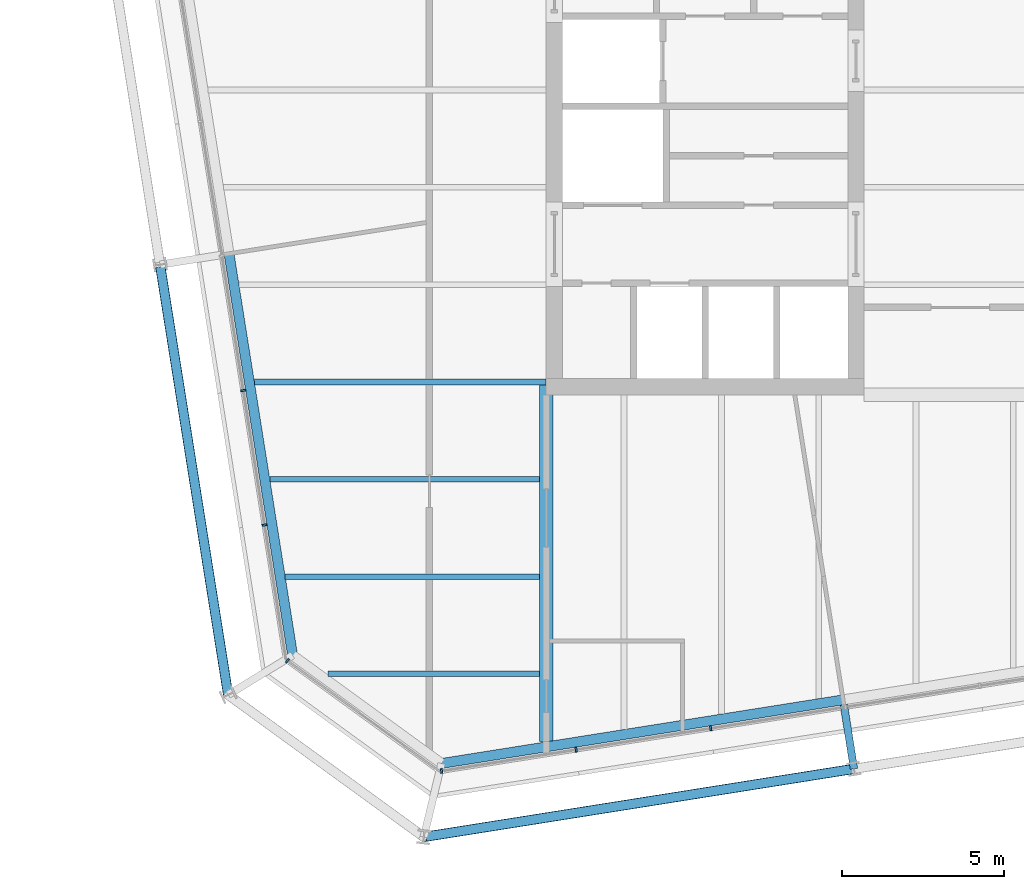
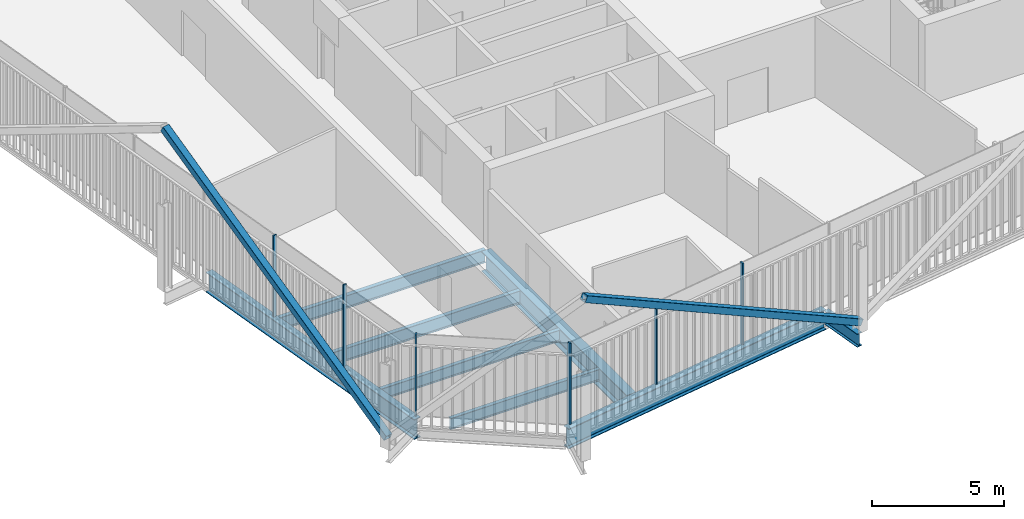
# One storey, part 2 of 21: 8 beams, 8 members, 3 elements without a shape of their own.
"""IFC4 building model written with IfcOpenShell, lengths in metres."""

from ifc_helpers import new_model, si_unit, direction, frame, origin, origin_2d, place, context, subcontext, project, spatial, rectangle, hollow_rectangle, i_section, extrude, material, layer, layer_set, material_profile, profile_set, type_object, element, aggregate, save


model = new_model("IFC4")

# Units and contexts
model_context = context("Model", 3, precision=1e-05, world=origin(), true_north=direction((0.0, 1.0)))
body_context = subcontext(model_context, "Body", "Model", "MODEL_VIEW")
ifc_project = project(units=[si_unit("LENGTHUNIT", "METRE"), si_unit("AREAUNIT", "SQUARE_METRE"), si_unit("VOLUMEUNIT", "CUBIC_METRE"), si_unit("PLANEANGLEUNIT", "RADIAN"), si_unit("MASSUNIT", "GRAM", prefix="KILO")], contexts=[model_context])

# Site, building, storey
site_placement = place(None, origin())
site = spatial("IfcSite", under=ifc_project, at=site_placement, CompositionType="ELEMENT")
building_placement = place(site_placement, origin())
building = spatial("IfcBuilding", under=site, at=building_placement, Name="Millrace Tower", CompositionType="ELEMENT")
storey_placement = place(building_placement, frame((0.0, 0.0, 255.199951171875)))
storey = spatial("IfcBuildingStorey", under=building, at=storey_placement, Name="L58", CompositionType="ELEMENT", Elevation=255.199951171875)

# Curtain wall, member
ifc_material_1 = material(Name="Aluminium and glass", Category="aluminium")
ifc_layer = layer(ifc_material_1, 0.14990234375)
ifc_layer_set = layer_set([ifc_layer], Name="Aluminium and glass")
curtain_wall_type = type_object("IfcCurtainWallType", Name="CW-1 office vision curtain wall", PredefinedType="NOTDEFINED", material=ifc_layer_set)
placement = place(storey_placement, origin())
curtain_wall_1 = element("IfcCurtainWall", 1, at=placement, inside=storey, type_object=curtain_wall_type, Name="Curtain wall D-F01 L58", PredefinedType="NOTDEFINED")
ifc_material_2 = material(Name="Aluminium", Category="aluminium")
ifc_material_profile_1 = material_profile(ifc_material_2, rectangle(XDim=0.06494140625, YDim=0.14990234375, at=origin_2d()))
ifc_profile_set_1 = profile_set([ifc_material_profile_1], Name="Aluminium")
member_type_1 = type_object("IfcMemberType", Name="CW-1 office vision curtain wall mullion", PredefinedType="MULLION", material=ifc_profile_set_1)
member_1_placement = place(storey_placement, frame((-22.3779296875, -17.594970703125, 0.14013671875), z_axis=(0.0, 0.0, 1.0), x_axis=(0.809016955361, -0.587785305991, 0.0)))
member_1 = element("IfcMember", 2, at=member_1_placement, type_object=member_type_1, Name="CW1 mullion D-F01.1", PredefinedType="MULLION", context=body_context, shape_type="SweptSolid", body=[
    extrude(rectangle(XDim=0.06494140625, YDim=0.14990234375, at=origin_2d()), origin(), (0.0, 0.0, 1.0), 3.760009765625),
])
aggregate(curtain_wall_1, [member_1])

# Curtain wall, members
curtain_wall_2 = element("IfcCurtainWall", 3, at=placement, inside=storey, type_object=curtain_wall_type, Name="Curtain wall D-F02 L58", PredefinedType="NOTDEFINED")
member_2_placement = place(storey_placement, frame((-17.62548828125, -20.992431640625, 0.14013671875), z_axis=(0.0, 0.0, 1.0), x_axis=(0.987688339511, 0.156434471884, 0.0)))
member_2 = element("IfcMember", 4, at=member_2_placement, type_object=member_type_1, Name="CW1 mullion D-F02.1", PredefinedType="MULLION", context=body_context, shape_type="SweptSolid", body=[
    extrude(rectangle(XDim=0.06494140625, YDim=0.14990234375, at=origin_2d()), origin(), (0.0, 0.0, 1.0), 3.760009765625),
])
member_3_placement = place(storey_placement, frame((-13.477294921875, -20.33544921875, 0.14013671875), z_axis=(0.0, 0.0, 1.0), x_axis=(0.987688339511, 0.156434471884, 0.0)))
member_3 = element("IfcMember", 5, at=member_3_placement, type_object=member_type_1, Name="CW1 mullion D-F02.2", PredefinedType="MULLION", context=body_context, shape_type="SweptSolid", body=[
    extrude(rectangle(XDim=0.06494140625, YDim=0.14990234375, at=origin_2d()), origin(), (0.0, 0.0, 1.0), 3.760009765625),
])
member_4_placement = place(storey_placement, frame((-9.328857421875, -19.678466796875, 0.14013671875), z_axis=(0.0, 0.0, 1.0), x_axis=(0.987688339511, 0.156434471884, 0.0)))
member_4 = element("IfcMember", 6, at=member_4_placement, type_object=member_type_1, Name="CW1 mullion D-F02.3", PredefinedType="MULLION", context=body_context, shape_type="SweptSolid", body=[
    extrude(rectangle(XDim=0.06494140625, YDim=0.14990234375, at=origin_2d()), origin(), (0.0, 0.0, 1.0), 3.760009765625),
])
aggregate(curtain_wall_2, [member_2, member_3, member_4])

curtain_wall_3 = element("IfcCurtainWall", 7, at=placement, inside=storey, type_object=curtain_wall_type, Name="Curtain wall D-F08 L58", PredefinedType="NOTDEFINED")
member_5_placement = place(storey_placement, frame((-23.7431640625, -9.262451171875, 0.14013671875), z_axis=(0.0, 0.0, 1.0), x_axis=(0.156434471884, -0.987688339511, 0.0)))
member_5 = element("IfcMember", 8, at=member_5_placement, type_object=member_type_1, Name="CW1 mullion D-F08.8", PredefinedType="MULLION", context=body_context, shape_type="SweptSolid", body=[
    extrude(rectangle(XDim=0.06494140625, YDim=0.14990234375, at=origin_2d()), origin(), (0.0, 0.0, 1.0), 3.760009765625),
])
member_6_placement = place(storey_placement, frame((-23.086181640625, -13.410888671875, 0.14013671875), z_axis=(0.0, 0.0, 1.0), x_axis=(0.156434471884, -0.987688339511, 0.0)))
member_6 = element("IfcMember", 9, at=member_6_placement, type_object=member_type_1, Name="CW1 mullion D-F08.9", PredefinedType="MULLION", context=body_context, shape_type="SweptSolid", body=[
    extrude(rectangle(XDim=0.06494140625, YDim=0.14990234375, at=origin_2d()), origin(), (0.0, 0.0, 1.0), 3.760009765625),
])
aggregate(curtain_wall_3, [member_5, member_6])

# Members
ifc_material_3 = material(Name="Steel ASTM A500 Grade C", Category="steel")
ifc_material_profile_2 = material_profile(ifc_material_3, hollow_rectangle(XDim=0.3046875, YDim=0.3046875, WallThickness=0.009521484375, InnerFilletRadius=0.004638671875, OuterFilletRadius=0.014404296875, at=origin_2d()))
ifc_profile_set_2 = profile_set([ifc_material_profile_2], Name="Steel ASTM A500 Grade C")
member_type_2 = type_object("IfcMemberType", Name="Exoskeleton brace HSS12x12x3/8", PredefinedType="BRACE", material=ifc_profile_set_2)
member_7_placement = place(storey_placement, frame((-4.91162109375, -20.927734375, 0.400146484375), z_axis=(-0.875831763156, -0.138714339442, 0.462252154868), x_axis=(0.156430301989, -0.987688999949, 0.0)))
element("IfcMember", 10, at=member_7_placement, inside=storey, type_object=member_type_2, Name="BRC-D-L58-02", PredefinedType="BRACE", context=body_context, shape_type="SweptSolid", body=[
    extrude(hollow_rectangle(XDim=0.3046875, YDim=0.3046875, WallThickness=0.009521484375, InnerFilletRadius=0.004638671875, OuterFilletRadius=0.014404296875, at=origin_2d()), origin(), (0.0, 0.0, 1.0), 15.143310546875),
])
member_8_placement = place(storey_placement, frame((-24.2060546875, -18.646484375, 0.400146484375), z_axis=(-0.138712380788, 0.87583551821, 0.462245627841), x_axis=(-0.987689444837, -0.156427492975, 0.0)))
element("IfcMember", 11, at=member_8_placement, inside=storey, type_object=member_type_2, Name="BRC-D-L58-16", PredefinedType="BRACE", context=body_context, shape_type="SweptSolid", body=[
    extrude(hollow_rectangle(XDim=0.3046875, YDim=0.3046875, WallThickness=0.009521484375, InnerFilletRadius=0.004638671875, OuterFilletRadius=0.014404296875, at=origin_2d()), origin(), (0.0, 0.0, 1.0), 15.1435546875),
])

# Beams
ifc_material_4 = material(Name="Steel ASTM A992 Grade 50", Category="steel")
ifc_material_profile_3 = material_profile(ifc_material_4, i_section(OverallWidth=0.1650390625, OverallDepth=0.52587890625, WebThickness=0.0087890625, FlangeThickness=0.011474609375, FilletRadius=0.0126953125, at=origin_2d()))
ifc_profile_set_3 = profile_set([ifc_material_profile_3], Name="Steel ASTM A992 Grade 50")
beam_type_1 = type_object("IfcBeamType", Name="Floor beam W21x44", PredefinedType="JOIST", material=ifc_profile_set_3)
beam_1_placement = place(storey_placement, frame((-22.447509765625, -15.0, -0.4228515625), z_axis=(1.0, 0.0, 0.0), x_axis=(0.0, 1.0, 0.0)))
element("IfcBeam", 12, at=beam_1_placement, inside=storey, type_object=beam_type_1, Name="BM-D-L58-S1-S002", PredefinedType="JOIST", context=body_context, shape_type="SweptSolid", body=[
    extrude(i_section(OverallWidth=0.1650390625, OverallDepth=0.52587890625, WebThickness=0.0087890625, FlangeThickness=0.011474609375, FilletRadius=0.0126953125, at=origin_2d()), origin(), (0.0, 0.0, 1.0), 7.837890625),
])
beam_2_placement = place(storey_placement, frame((-21.13427734375, -18.0, -0.4228515625), z_axis=(1.0, 0.0, 0.0), x_axis=(0.0, 1.0, 0.0)))
element("IfcBeam", 13, at=beam_2_placement, inside=storey, type_object=beam_type_1, Name="BM-D-L58-S1-S001", PredefinedType="JOIST", context=body_context, shape_type="SweptSolid", body=[
    extrude(i_section(OverallWidth=0.1650390625, OverallDepth=0.52587890625, WebThickness=0.0087890625, FlangeThickness=0.011474609375, FilletRadius=0.0126953125, at=origin_2d()), origin(), (0.0, 0.0, 1.0), 6.524658203125),
])
ifc_material_5 = material(Name="Steel ASTM A992 Grade 50", Category="steel")
ifc_material_profile_4 = material_profile(ifc_material_5, i_section(OverallWidth=0.177978515625, OverallDepth=0.599365234375, WebThickness=0.010009765625, FlangeThickness=0.012939453125, FilletRadius=0.012939453125, at=origin_2d()))
ifc_profile_set_4 = profile_set([ifc_material_profile_4], Name="Steel ASTM A992 Grade 50")
beam_type_2 = type_object("IfcBeamType", Name="Floor beam W24x55", PredefinedType="JOIST", material=ifc_profile_set_4)
beam_3_placement = place(storey_placement, frame((-22.922607421875, -12.0, -0.459716796875), z_axis=(1.0, 0.0, 0.0), x_axis=(0.0, 1.0, 0.0)))
element("IfcBeam", 14, at=beam_3_placement, inside=storey, type_object=beam_type_2, Name="BM-D-L58-S1-S004", PredefinedType="JOIST", context=body_context, shape_type="SweptSolid", body=[
    extrude(i_section(OverallWidth=0.177978515625, OverallDepth=0.599365234375, WebThickness=0.010009765625, FlangeThickness=0.012939453125, FilletRadius=0.012939453125, at=origin_2d()), origin(), (0.0, 0.0, 1.0), 8.31298828125),
])
beam_4_placement = place(storey_placement, frame((-23.397705078125, -9.0, -0.459716796875), z_axis=(1.0, 0.0, 0.0), x_axis=(0.0, 1.0, 0.0)))
element("IfcBeam", 15, at=beam_4_placement, inside=storey, type_object=beam_type_2, Name="BM-D-L58-S1-S006", PredefinedType="JOIST", context=body_context, shape_type="SweptSolid", body=[
    extrude(i_section(OverallWidth=0.177978515625, OverallDepth=0.599365234375, WebThickness=0.010009765625, FlangeThickness=0.012939453125, FilletRadius=0.012939453125, at=origin_2d()), origin(), (0.0, 0.0, 1.0), 8.997802734375),
])
ifc_material_6 = material(Name="Steel ASTM A992 Grade 50", Category="steel")
ifc_material_profile_5 = material_profile(ifc_material_6, i_section(OverallWidth=0.419189453125, OverallDepth=0.927001953125, WebThickness=0.019287109375, FlangeThickness=0.031982421875, FilletRadius=0.024169921875, at=origin_2d()))
ifc_profile_set_5 = profile_set([ifc_material_profile_5], Name="Steel ASTM A992 Grade 50")
beam_type_3 = type_object("IfcBeamType", Name="Girder short span W36x231", PredefinedType="BEAM", material=ifc_profile_set_5)
beam_5_placement = place(storey_placement, frame((-14.39990234375, -20.08642578125, -0.62353515625), z_axis=(0.0, 1.0, 0.0), x_axis=(-1.0, 0.0, 0.0)))
element("IfcBeam", 16, at=beam_5_placement, inside=storey, type_object=beam_type_3, Name="BM-D-L58-S1-G055", PredefinedType="BEAM", context=body_context, shape_type="SweptSolid", body=[
    extrude(i_section(OverallWidth=0.419189453125, OverallDepth=0.927001953125, WebThickness=0.019287109375, FlangeThickness=0.031982421875, FilletRadius=0.024169921875, at=origin_2d()), origin(), (0.0, 0.0, 1.0), 10.994384765625),
])
ifc_material_7 = material(Name="Steel ASTM A992 Grade 50", Category="steel")
ifc_material_profile_6 = material_profile(ifc_material_7, i_section(OverallWidth=0.23046875, OverallDepth=0.6171875, WebThickness=0.01318359375, FlangeThickness=0.022216796875, FilletRadius=0.012939453125, at=origin_2d()))
ifc_profile_set_6 = profile_set([ifc_material_profile_6], Name="Steel ASTM A992 Grade 50")
beam_type_4 = type_object("IfcBeamType", Name="Link beam W24x94", PredefinedType="BEAM", material=ifc_profile_set_6)
beam_6_placement = place(storey_placement, frame((-5.224365234375, -18.952392578125, -0.468505859375), z_axis=(0.15637629034, -0.987697552806, 0.0), x_axis=(0.987697552806, 0.15637629034, 0.0)))
element("IfcBeam", 17, at=beam_6_placement, inside=storey, type_object=beam_type_4, Name="LNK-D-L58-S1-15", PredefinedType="BEAM", context=body_context, shape_type="SweptSolid", body=[
    extrude(i_section(OverallWidth=0.23046875, OverallDepth=0.6171875, WebThickness=0.01318359375, FlangeThickness=0.022216796875, FilletRadius=0.012939453125, at=origin_2d()), origin(), (0.0, 0.0, 1.0), 2.0),
])
ifc_material_8 = material(Name="Steel ASTM A992 Grade 50", Category="steel")
ifc_material_profile_7 = material_profile(ifc_material_8, i_section(OverallWidth=0.307373046875, OverallDepth=0.927001953125, WebThickness=0.01953125, FlangeThickness=0.031982421875, FilletRadius=0.01904296875, at=origin_2d()))
ifc_profile_set_7 = profile_set([ifc_material_profile_7], Name="Steel ASTM A992 Grade 50")
beam_type_5 = type_object("IfcBeamType", Name="Ring beam medium span W36x194", PredefinedType="SPANDREL", material=ifc_profile_set_7)
beam_7_placement = place(storey_placement, frame((-22.218505859375, -17.428466796875, -0.62353515625), z_axis=(-0.156419577072, 0.987690698503, 0.0), x_axis=(-0.987690698503, -0.156419577072, 0.0)))
element("IfcBeam", 18, at=beam_7_placement, inside=storey, type_object=beam_type_5, Name="RNG-D-L58-S1-01", PredefinedType="SPANDREL", context=body_context, shape_type="SweptSolid", body=[
    extrude(i_section(OverallWidth=0.307373046875, OverallDepth=0.927001953125, WebThickness=0.01953125, FlangeThickness=0.031982421875, FilletRadius=0.01904296875, at=origin_2d()), origin(), (0.0, 0.0, 1.0), 12.536376953125),
])
beam_8_placement = place(storey_placement, frame((-5.24853515625, -18.800537109375, -0.62353515625), z_axis=(-0.987687213011, -0.156441584157, 0.0), x_axis=(0.156441584157, -0.987687213011, 0.0)))
element("IfcBeam", 19, at=beam_8_placement, inside=storey, type_object=beam_type_5, Name="RNG-D-L58-S1-15", PredefinedType="SPANDREL", context=body_context, shape_type="SweptSolid", body=[
    extrude(i_section(OverallWidth=0.307373046875, OverallDepth=0.927001953125, WebThickness=0.01953125, FlangeThickness=0.031982421875, FilletRadius=0.01904296875, at=origin_2d()), origin(), (0.0, 0.0, 1.0), 12.5361328125),
])

save(model, "model.ifc")
